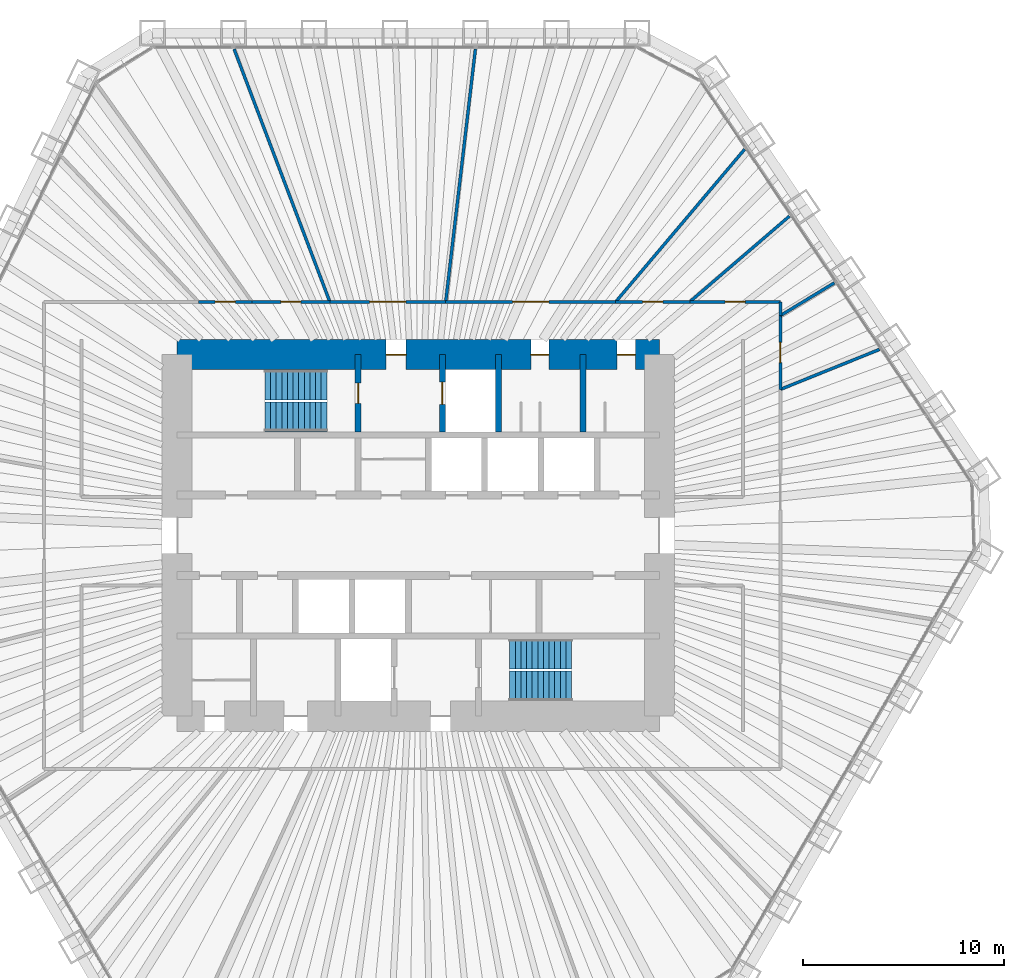
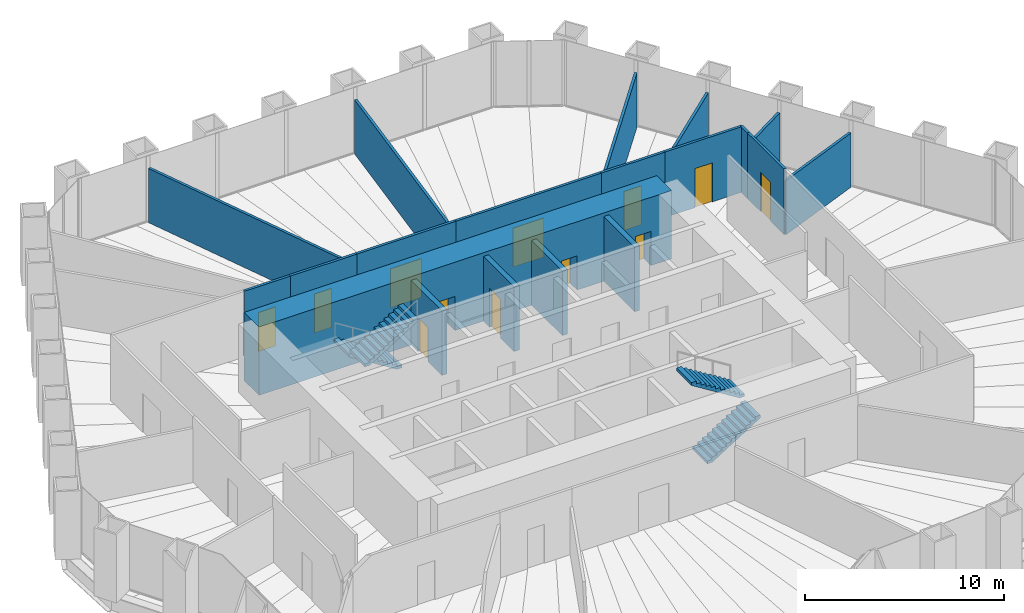
# One storey, part 12 of 13: 19 walls, 12 doors, 4 stair flights, 12 openings, 2 elements without a shape of their own.
"""IFC4 building model written with IfcOpenShell, lengths in metres."""

from ifc_helpers import new_model, si_unit, direction, frame, frame_2d, origin, place, context, subcontext, project, spatial, polyline, rectangle, outline, extrude, material, layer, layer_set, type_object, element, fill, aggregate, save


model = new_model("IFC4")

# Units and contexts
model_context = context("Model", 3, precision=1e-05, world=origin(), true_north=direction((0.0, 1.0)))
body_context = subcontext(model_context, "Body", "Model", "MODEL_VIEW")
ifc_project = project(units=[si_unit("LENGTHUNIT", "METRE"), si_unit("AREAUNIT", "SQUARE_METRE"), si_unit("VOLUMEUNIT", "CUBIC_METRE"), si_unit("PLANEANGLEUNIT", "RADIAN"), si_unit("MASSUNIT", "GRAM", prefix="KILO")], contexts=[model_context])

# Site, building, storey
site_placement = place(None, origin())
site = spatial("IfcSite", under=ifc_project, at=site_placement, CompositionType="ELEMENT")
building_placement = place(site_placement, origin())
building = spatial("IfcBuilding", under=site, at=building_placement, Name="Qingtian Harvest Tower", CompositionType="ELEMENT")
storey_placement = place(building_placement, frame((0.0, 0.0, 157.60009765625)))
storey = spatial("IfcBuildingStorey", under=building, at=storey_placement, Name="L33", CompositionType="ELEMENT", Elevation=157.60009765625)

# Wall, opening, door
ifc_material_1 = material(Name="Precast concrete shaft panel", Category="concrete")
ifc_layer_1 = layer(ifc_material_1, 0.300048828125)
ifc_layer_set_1 = layer_set([ifc_layer_1], Name="Core shaft partition SW1 300")
wall_type_1 = type_object("IfcWallType", Name="Core shaft partition SW1 300", PredefinedType="PARTITIONING", material=ifc_layer_set_1)
wall_1_placement = place(storey_placement, frame((-3.0, 5.14990234375, 0.0), z_axis=(0.0, 0.0, 1.0), x_axis=(0.0, 1.0, 0.0)))
wall_1 = element("IfcWall", 1, at=wall_1_placement, inside=storey, type_object=wall_type_1, Name="Core shaft partition XN1 L33", PredefinedType="PARTITIONING", context=body_context, shape_type="SweptSolid", body=[
    extrude(rectangle(XDim=3.85009765625, YDim=0.300048828125, at=frame_2d((1.925048828125, 0.0))), origin(), (0.0, 0.0, 1.0), 3.97998046875),
])
opening_1_placement = place(wall_1_placement, frame((1.425048828125, 0.0, 0.0)))
opening_1 = element("IfcOpeningElement", 2, at=opening_1_placement, cuts=wall_1, Name="Opening FD1", PredefinedType="OPENING", context=body_context, shape_type="SweptSolid", body=[
    extrude(rectangle(XDim=1.0, YDim=2.10009765625, at=frame_2d((0.5, 1.050048828125))), frame((0.0, 0.159912109375, 0.0), z_axis=(0.0, -1.0, 0.0), x_axis=(1.0, 0.0, 0.0)), (0.0, 0.0, 1.0), 0.320068359375),
])
ifc_material_2 = material(Name="Steel-faced door leaf", Category="steel")
door_type_1 = type_object("IfcDoorType", Name="Fire door FD1 single 1 HR", OperationType="SINGLE_SWING_LEFT", PredefinedType="DOOR", material=ifc_material_2)
door_1_placement = place(opening_1_placement, origin())
door_1 = element("IfcDoor", 3, at=door_1_placement, inside=storey, type_object=door_type_1, Name="S1 door L33", OperationType="SINGLE_SWING_RIGHT", OverallHeight=2.10009765625, OverallWidth=1.0, PredefinedType="DOOR", context=body_context, shape_type="SweptSolid", body=[
    extrude(rectangle(XDim=1.0, YDim=2.10009765625, at=frame_2d((0.5, 1.050048828125))), frame((0.0, 0.02490234375, 0.0), z_axis=(0.0, -1.0, 0.0), x_axis=(1.0, 0.0, 0.0)), (0.0, 0.0, 1.0), 0.050048828125),
])
fill(opening_1, door_1)

wall_2_placement = place(storey_placement, frame((1.199951171875, 5.14990234375, 0.0), z_axis=(0.0, 0.0, 1.0), x_axis=(0.0, 1.0, 0.0)))
wall_2 = element("IfcWall", 4, at=wall_2_placement, inside=storey, type_object=wall_type_1, Name="Core shaft partition XN2 L33", PredefinedType="PARTITIONING", context=body_context, shape_type="SweptSolid", body=[
    extrude(rectangle(XDim=3.85009765625, YDim=0.300048828125, at=frame_2d((1.925048828125, 0.0))), origin(), (0.0, 0.0, 1.0), 3.97998046875),
])
opening_2_placement = place(wall_2_placement, frame((1.375, 0.0, 0.0)))
opening_2 = element("IfcOpeningElement", 5, at=opening_2_placement, cuts=wall_2, Name="Opening LD1", PredefinedType="OPENING", context=body_context, shape_type="SweptSolid", body=[
    extrude(rectangle(XDim=1.10009765625, YDim=2.39990234375, at=frame_2d((0.550048828125, 1.199951171875))), frame((0.0, 0.159912109375, 0.0), z_axis=(0.0, -1.0, 0.0), x_axis=(1.0, 0.0, 0.0)), (0.0, 0.0, 1.0), 0.320068359375),
])
ifc_material_3 = material(Name="Stainless steel lift landing door", Category="steel")
door_type_2 = type_object("IfcDoorType", Name="Lift landing door LD1 1 HR", OperationType="DOUBLE_DOOR_SLIDING", PredefinedType="DOOR", material=ifc_material_3)
door_2_placement = place(opening_2_placement, origin())
door_2 = element("IfcDoor", 6, at=door_2_placement, inside=storey, type_object=door_type_2, Name="FL1 landing door L33", OperationType="DOUBLE_DOOR_SLIDING", OverallHeight=2.39990234375, OverallWidth=1.10009765625, PredefinedType="DOOR", context=body_context, shape_type="SweptSolid", body=[
    extrude(rectangle(XDim=1.10009765625, YDim=2.39990234375, at=frame_2d((0.550048828125, 1.199951171875))), frame((0.0, 0.02490234375, 0.0), z_axis=(0.0, -1.0, 0.0), x_axis=(1.0, 0.0, 0.0)), (0.0, 0.0, 1.0), 0.050048828125),
])
fill(opening_2, door_2)

# Walls
for number, where, z_axis, x_axis, name in (
    (7, (4.0, 5.14990234375, 0.0), (0.0, 0.0, 1.0), (0.0, 1.0, 0.0), "Core shaft partition XN3 L33"),
    (8, (8.199951171875, 5.14990234375, 0.0), (0.0, 0.0, 1.0), (0.0, 1.0, 0.0), "Core shaft partition XN4 L33"),
):
    element("IfcWall", number, at=place(storey_placement, frame(where, z_axis=z_axis, x_axis=x_axis)), inside=storey, type_object=wall_type_1, Name=name, PredefinedType="PARTITIONING", context=body_context, shape_type="SweptSolid", body=[
        extrude(rectangle(XDim=3.85009765625, YDim=0.300048828125, at=frame_2d((1.925048828125, 0.0))), origin(), (0.0, 0.0, 1.0), 3.97998046875),
    ])

# Wall, openings, doors
ifc_material_4 = material(Name="Concrete fc' 70 MPa", Category="concrete")
ifc_layer_2 = layer(ifc_material_4, 1.5)
ifc_layer_set_2 = layer_set([ifc_layer_2], Name="Core wall RC1 1500")
wall_type_2 = type_object("IfcWallType", Name="Core wall RC1 1500", PredefinedType="SHEAR", material=ifc_layer_set_2)
wall_3_placement = place(storey_placement, frame((-12.0, 9.0, 0.0), z_axis=(0.0, 0.0, 1.0), x_axis=(1.0, 0.0, 0.0)))
wall_3 = element("IfcWall", 9, at=wall_3_placement, inside=storey, type_object=wall_type_2, Name="Core wall CN L33", PredefinedType="SHEAR", context=body_context, shape_type="SweptSolid", body=[
    extrude(rectangle(XDim=24.0, YDim=1.5, at=frame_2d((12.0, 0.0))), origin(), (0.0, 0.0, 1.0), 4.199951171875),
])
opening_3_placement = place(wall_3_placement, frame((10.39990234375, 0.0, 0.0)))
opening_3 = element("IfcOpeningElement", 10, at=opening_3_placement, cuts=wall_3, Name="Opening FD1", PredefinedType="OPENING", context=body_context, shape_type="SweptSolid", body=[
    extrude(rectangle(XDim=1.0, YDim=2.10009765625, at=frame_2d((0.5, 1.050048828125))), frame((0.0, 0.760009765625, 0.0), z_axis=(0.0, -1.0, 0.0), x_axis=(1.0, 0.0, 0.0)), (0.0, 0.0, 1.0), 1.52001953125),
])
opening_4_placement = place(wall_3_placement, frame((17.60009765625, 0.0, 0.0)))
opening_4 = element("IfcOpeningElement", 11, at=opening_4_placement, cuts=wall_3, Name="Opening D1", PredefinedType="OPENING", context=body_context, shape_type="SweptSolid", body=[
    extrude(rectangle(XDim=0.89990234375, YDim=2.10009765625, at=frame_2d((0.449951171875, 1.050048828125))), frame((0.0, 0.760009765625, 0.0), z_axis=(0.0, -1.0, 0.0), x_axis=(1.0, 0.0, 0.0)), (0.0, 0.0, 1.0), 1.52001953125),
])
opening_5_placement = place(wall_3_placement, frame((21.89990234375, 0.0, 0.0)))
opening_5 = element("IfcOpeningElement", 12, at=opening_5_placement, cuts=wall_3, Name="Opening D1", PredefinedType="OPENING", context=body_context, shape_type="SweptSolid", body=[
    extrude(rectangle(XDim=0.89990234375, YDim=2.10009765625, at=frame_2d((0.449951171875, 1.050048828125))), frame((0.0, 0.760009765625, 0.0), z_axis=(0.0, -1.0, 0.0), x_axis=(1.0, 0.0, 0.0)), (0.0, 0.0, 1.0), 1.52001953125),
])
door_3_placement = place(opening_3_placement, origin())
door_3 = element("IfcDoor", 13, at=door_3_placement, inside=storey, type_object=door_type_1, Name="V1 door L33", OperationType="SINGLE_SWING_RIGHT", OverallHeight=2.10009765625, OverallWidth=1.0, PredefinedType="DOOR", context=body_context, shape_type="SweptSolid", body=[
    extrude(rectangle(XDim=1.0, YDim=2.10009765625, at=frame_2d((0.5, 1.050048828125))), frame((0.0, 0.02490234375, 0.0), z_axis=(0.0, -1.0, 0.0), x_axis=(1.0, 0.0, 0.0)), (0.0, 0.0, 1.0), 0.050048828125),
])
fill(opening_3, door_3)
ifc_material_5 = material(Name="Laminated timber door leaf", Category="wood")
door_type_3 = type_object("IfcDoorType", Name="Toilet door D1 single", OperationType="SINGLE_SWING_LEFT", PredefinedType="DOOR", material=ifc_material_5)
door_4_placement = place(opening_4_placement, origin())
door_4 = element("IfcDoor", 14, at=door_4_placement, inside=storey, type_object=door_type_3, Name="WCM door L33", OperationType="SINGLE_SWING_RIGHT", OverallHeight=2.10009765625, OverallWidth=0.89990234375, PredefinedType="DOOR", context=body_context, shape_type="SweptSolid", body=[
    extrude(rectangle(XDim=0.89990234375, YDim=2.10009765625, at=frame_2d((0.449951171875, 1.050048828125))), frame((0.0, 0.02490234375, 0.0), z_axis=(0.0, -1.0, 0.0), x_axis=(1.0, 0.0, 0.0)), (0.0, 0.0, 1.0), 0.050048828125),
])
fill(opening_4, door_4)
door_5_placement = place(opening_5_placement, origin())
door_5 = element("IfcDoor", 15, at=door_5_placement, inside=storey, type_object=door_type_3, Name="WCF door L33", OperationType="SINGLE_SWING_RIGHT", OverallHeight=2.10009765625, OverallWidth=0.89990234375, PredefinedType="DOOR", context=body_context, shape_type="SweptSolid", body=[
    extrude(rectangle(XDim=0.89990234375, YDim=2.10009765625, at=frame_2d((0.449951171875, 1.050048828125))), frame((0.0, 0.02490234375, 0.0), z_axis=(0.0, -1.0, 0.0), x_axis=(1.0, 0.0, 0.0)), (0.0, 0.0, 1.0), 0.050048828125),
])
fill(opening_5, door_5)

# Wall
ifc_material_6 = material(Name="Gypsum board on steel studs", Category="steel")
ifc_layer_3 = layer(ifc_material_6, 0.14990234375)
ifc_layer_set_3 = layer_set([ifc_layer_3], Name="Partition PT1 150")
wall_type_3 = type_object("IfcWallType", Name="Partition PT1 150", PredefinedType="PARTITIONING", material=ifc_layer_set_3)
wall_4_placement = place(storey_placement, frame((16.2373046875, 19.21044921875, 0.0), z_axis=(0.0, 0.0, 1.0), x_axis=(-0.645526723652, -0.763737683404, 0.0)))
element("IfcWall", 16, at=wall_4_placement, inside=storey, type_object=wall_type_3, Name="Private office wall L33", PredefinedType="PARTITIONING", context=body_context, shape_type="SweptSolid", body=[
    extrude(rectangle(XDim=9.93212890625, YDim=0.14990234375, at=frame_2d((4.966064453125, 0.0))), origin(), (0.0, 0.0, 1.0), 3.329833984375),
])

# Wall, opening, door
wall_5_placement = place(storey_placement, frame((9.825927734375, 11.625, 0.0), z_axis=(0.0, 0.0, 1.0), x_axis=(1.0, 0.0, 0.0)))
wall_5 = element("IfcWall", 17, at=wall_5_placement, inside=storey, type_object=wall_type_3, Name="Private office wall L33", PredefinedType="PARTITIONING", context=body_context, shape_type="SweptSolid", body=[
    extrude(rectangle(XDim=3.689453125, YDim=0.14990234375, at=frame_2d((1.8447265625, 0.0))), origin(), (0.0, 0.0, 1.0), 4.02978515625),
])
opening_6_placement = place(wall_5_placement, frame((1.3447265625, 0.0, 0.0)))
opening_6 = element("IfcOpeningElement", 18, at=opening_6_placement, cuts=wall_5, Name="Opening D2", PredefinedType="OPENING", context=body_context, shape_type="SweptSolid", body=[
    extrude(rectangle(XDim=1.0, YDim=2.39990234375, at=frame_2d((0.5, 1.199951171875))), frame((0.0, 0.0849609375, 0.0), z_axis=(0.0, -1.0, 0.0), x_axis=(1.0, 0.0, 0.0)), (0.0, 0.0, 1.0), 0.169921875),
])
ifc_material_7 = material(Name="Laminated timber door leaf", Category="wood")
door_type_4 = type_object("IfcDoorType", Name="Room door D2 single", OperationType="SINGLE_SWING_LEFT", PredefinedType="DOOR", material=ifc_material_7)
door_6_placement = place(opening_6_placement, origin())
door_6 = element("IfcDoor", 19, at=door_6_placement, inside=storey, type_object=door_type_4, Name="Private office door L33", OperationType="SINGLE_SWING_RIGHT", OverallHeight=2.39990234375, OverallWidth=1.0, PredefinedType="DOOR", context=body_context, shape_type="SweptSolid", body=[
    extrude(rectangle(XDim=1.0, YDim=2.39990234375, at=frame_2d((0.5, 1.199951171875))), frame((0.0, 0.02490234375, 0.0), z_axis=(0.0, -1.0, 0.0), x_axis=(1.0, 0.0, 0.0)), (0.0, 0.0, 1.0), 0.050048828125),
])
fill(opening_6, door_6)

# Wall
wall_6_placement = place(storey_placement, frame((18.4736328125, 15.8896484375, 0.0), z_axis=(0.0, 0.0, 1.0), x_axis=(-0.758143486665, -0.65208776528, 0.0)))
element("IfcWall", 20, at=wall_6_placement, inside=storey, type_object=wall_type_3, Name="Private office wall L33", PredefinedType="PARTITIONING", context=body_context, shape_type="SweptSolid", body=[
    extrude(rectangle(XDim=6.5400390625, YDim=0.14990234375, at=frame_2d((3.27001953125, 0.0))), origin(), (0.0, 0.0, 1.0), 3.329833984375),
])

# Wall, opening, door
wall_7_placement = place(storey_placement, frame((13.515380859375, 11.625, 0.0), z_axis=(0.0, 0.0, 1.0), x_axis=(1.0, 0.0, 0.0)))
wall_7 = element("IfcWall", 21, at=wall_7_placement, inside=storey, type_object=wall_type_3, Name="Private office wall L33", PredefinedType="PARTITIONING", context=body_context, shape_type="SweptSolid", body=[
    extrude(rectangle(XDim=4.509521484375, YDim=0.14990234375, at=frame_2d((2.2548828125, 0.0))), origin(), (0.0, 0.0, 1.0), 4.02978515625),
])
opening_7_placement = place(wall_7_placement, frame((1.7548828125, 0.0, 0.0)))
opening_7 = element("IfcOpeningElement", 22, at=opening_7_placement, cuts=wall_7, Name="Opening D2", PredefinedType="OPENING", context=body_context, shape_type="SweptSolid", body=[
    extrude(rectangle(XDim=1.0, YDim=2.39990234375, at=frame_2d((0.5, 1.199951171875))), frame((0.0, 0.0849609375, 0.0), z_axis=(0.0, -1.0, 0.0), x_axis=(1.0, 0.0, 0.0)), (0.0, 0.0, 1.0), 0.169921875),
])
door_7_placement = place(opening_7_placement, origin())
door_7 = element("IfcDoor", 23, at=door_7_placement, inside=storey, type_object=door_type_4, Name="Private office door L33", OperationType="SINGLE_SWING_LEFT", OverallHeight=2.39990234375, OverallWidth=1.0, PredefinedType="DOOR", context=body_context, shape_type="SweptSolid", body=[
    extrude(rectangle(XDim=1.0, YDim=2.39990234375, at=frame_2d((0.5, 1.199951171875))), frame((0.0, 0.02490234375, 0.0), z_axis=(0.0, -1.0, 0.0), x_axis=(1.0, 0.0, 0.0)), (0.0, 0.0, 1.0), 0.050048828125),
])
fill(opening_7, door_7)

# Walls
wall_8_placement = place(storey_placement, frame((18.02490234375, 11.625, 0.0), z_axis=(0.0, 0.0, 1.0), x_axis=(0.0, -1.0, 0.0)))
element("IfcWall", 24, at=wall_8_placement, inside=storey, type_object=wall_type_3, Name="Private office wall L33", PredefinedType="PARTITIONING", context=body_context, shape_type="SweptSolid", body=[
    extrude(rectangle(XDim=0.684326171875, YDim=0.14990234375, at=frame_2d((0.34228515625, 0.0))), origin(), (0.0, 0.0, 1.0), 4.02978515625),
])
wall_9_placement = place(storey_placement, frame((20.71142578125, 12.571044921875, 0.0), z_axis=(0.0, 0.0, 1.0), x_axis=(-0.854890890653, -0.518807830587, 0.0)))
element("IfcWall", 25, at=wall_9_placement, inside=storey, type_object=wall_type_3, Name="Private office wall L33", PredefinedType="PARTITIONING", context=body_context, shape_type="SweptSolid", body=[
    extrude(rectangle(XDim=3.142578125, YDim=0.14990234375, at=frame_2d((1.5712890625, 0.0))), origin(), (0.0, 0.0, 1.0), 3.329833984375),
])

# Wall, opening, door
wall_10_placement = place(storey_placement, frame((18.02490234375, 10.940673828125, 0.0), z_axis=(0.0, 0.0, 1.0), x_axis=(0.0, -1.0, 0.0)))
wall_10 = element("IfcWall", 26, at=wall_10_placement, inside=storey, type_object=wall_type_3, Name="Private office wall L33", PredefinedType="PARTITIONING", context=body_context, shape_type="SweptSolid", body=[
    extrude(rectangle(XDim=3.67333984375, YDim=0.14990234375, at=frame_2d((1.836669921875, 0.0))), origin(), (0.0, 0.0, 1.0), 4.02978515625),
])
opening_8_placement = place(wall_10_placement, frame((1.336669921875, 0.0, 0.0)))
opening_8 = element("IfcOpeningElement", 27, at=opening_8_placement, cuts=wall_10, Name="Opening D2", PredefinedType="OPENING", context=body_context, shape_type="SweptSolid", body=[
    extrude(rectangle(XDim=1.0, YDim=2.39990234375, at=frame_2d((0.5, 1.199951171875))), frame((0.0, 0.0849609375, 0.0), z_axis=(0.0, -1.0, 0.0), x_axis=(1.0, 0.0, 0.0)), (0.0, 0.0, 1.0), 0.169921875),
])
door_8_placement = place(opening_8_placement, origin())
door_8 = element("IfcDoor", 28, at=door_8_placement, inside=storey, type_object=door_type_4, Name="Private office door L33", OperationType="SINGLE_SWING_LEFT", OverallHeight=2.39990234375, OverallWidth=1.0, PredefinedType="DOOR", context=body_context, shape_type="SweptSolid", body=[
    extrude(rectangle(XDim=1.0, YDim=2.39990234375, at=frame_2d((0.5, 1.199951171875))), frame((0.0, 0.02490234375, 0.0), z_axis=(0.0, -1.0, 0.0), x_axis=(1.0, 0.0, 0.0)), (0.0, 0.0, 1.0), 0.050048828125),
])
fill(opening_8, door_8)

# Wall
wall_11_placement = place(storey_placement, frame((22.951416015625, 9.253662109375, 0.0), z_axis=(0.0, 0.0, 1.0), x_axis=(-0.927452527427, -0.37394091695, 0.0)))
element("IfcWall", 29, at=wall_11_placement, inside=storey, type_object=wall_type_3, Name="Meeting room wall L33", PredefinedType="PARTITIONING", context=body_context, shape_type="SweptSolid", body=[
    extrude(rectangle(XDim=5.311767578125, YDim=0.14990234375, at=frame_2d((2.65576171875, 0.0))), origin(), (0.0, 0.0, 1.0), 3.329833984375),
])

# Wall, opening, door
wall_12_placement = place(storey_placement, frame((-10.938720703125, 11.625, 0.0), z_axis=(0.0, 0.0, 1.0), x_axis=(1.0, 0.0, 0.0)))
wall_12 = element("IfcWall", 30, at=wall_12_placement, inside=storey, type_object=wall_type_3, Name="Meeting room wall L33", PredefinedType="PARTITIONING", context=body_context, shape_type="SweptSolid", body=[
    extrude(rectangle(XDim=2.662109375, YDim=0.14990234375, at=frame_2d((1.3310546875, 0.0))), origin(), (0.0, 0.0, 1.0), 4.02978515625),
])
opening_9_placement = place(wall_12_placement, frame((0.8310546875, 0.0, 0.0)))
opening_9 = element("IfcOpeningElement", 31, at=opening_9_placement, cuts=wall_12, Name="Opening D2", PredefinedType="OPENING", context=body_context, shape_type="SweptSolid", body=[
    extrude(rectangle(XDim=1.0, YDim=2.39990234375, at=frame_2d((0.5, 1.199951171875))), frame((0.0, 0.0849609375, 0.0), z_axis=(0.0, -1.0, 0.0), x_axis=(1.0, 0.0, 0.0)), (0.0, 0.0, 1.0), 0.169921875),
])
door_9_placement = place(opening_9_placement, origin())
door_9 = element("IfcDoor", 32, at=door_9_placement, inside=storey, type_object=door_type_4, Name="Meeting room door L33", OperationType="SINGLE_SWING_LEFT", OverallHeight=2.39990234375, OverallWidth=1.0, PredefinedType="DOOR", context=body_context, shape_type="SweptSolid", body=[
    extrude(rectangle(XDim=1.0, YDim=2.39990234375, at=frame_2d((0.5, 1.199951171875))), frame((0.0, 0.02490234375, 0.0), z_axis=(0.0, -1.0, 0.0), x_axis=(1.0, 0.0, 0.0)), (0.0, 0.0, 1.0), 0.050048828125),
])
fill(opening_9, door_9)

wall_13_placement = place(storey_placement, frame((-8.276611328125, 11.625, 0.0), z_axis=(0.0, 0.0, 1.0), x_axis=(1.0, 0.0, 0.0)))
wall_13 = element("IfcWall", 33, at=wall_13_placement, inside=storey, type_object=wall_type_3, Name="Private office wall L33", PredefinedType="PARTITIONING", context=body_context, shape_type="SweptSolid", body=[
    extrude(rectangle(XDim=3.8740234375, YDim=0.14990234375, at=frame_2d((1.93701171875, 0.0))), origin(), (0.0, 0.0, 1.0), 4.02978515625),
])
opening_10_placement = place(wall_13_placement, frame((1.43701171875, 0.0, 0.0)))
opening_10 = element("IfcOpeningElement", 34, at=opening_10_placement, cuts=wall_13, Name="Opening D2", PredefinedType="OPENING", context=body_context, shape_type="SweptSolid", body=[
    extrude(rectangle(XDim=1.0, YDim=2.39990234375, at=frame_2d((0.5, 1.199951171875))), frame((0.0, 0.0849609375, 0.0), z_axis=(0.0, -1.0, 0.0), x_axis=(1.0, 0.0, 0.0)), (0.0, 0.0, 1.0), 0.169921875),
])
door_10_placement = place(opening_10_placement, origin())
door_10 = element("IfcDoor", 35, at=door_10_placement, inside=storey, type_object=door_type_4, Name="Private office door L33", OperationType="SINGLE_SWING_LEFT", OverallHeight=2.39990234375, OverallWidth=1.0, PredefinedType="DOOR", context=body_context, shape_type="SweptSolid", body=[
    extrude(rectangle(XDim=1.0, YDim=2.39990234375, at=frame_2d((0.5, 1.199951171875))), frame((0.0, 0.02490234375, 0.0), z_axis=(0.0, -1.0, 0.0), x_axis=(1.0, 0.0, 0.0)), (0.0, 0.0, 1.0), 0.050048828125),
])
fill(opening_10, door_10)

# Wall
wall_14_placement = place(storey_placement, frame((-9.167236328125, 24.20654296875, 0.0), z_axis=(0.0, 0.0, 1.0), x_axis=(0.354156368181, -0.935186220427, 0.0)))
element("IfcWall", 36, at=wall_14_placement, inside=storey, type_object=wall_type_3, Name="Collaboration lounge wall L33", PredefinedType="PARTITIONING", context=body_context, shape_type="SweptSolid", body=[
    extrude(rectangle(XDim=13.45361328125, YDim=0.14990234375, at=frame_2d((6.726806640625, 0.0))), origin(), (0.0, 0.0, 1.0), 3.329833984375),
])

# Wall, opening, door
wall_15_placement = place(storey_placement, frame((-4.402587890625, 11.625, 0.0), z_axis=(0.0, 0.0, 1.0), x_axis=(1.0, 0.0, 0.0)))
wall_15 = element("IfcWall", 37, at=wall_15_placement, inside=storey, type_object=wall_type_3, Name="Collaboration lounge wall L33", PredefinedType="PARTITIONING", context=body_context, shape_type="SweptSolid", body=[
    extrude(rectangle(XDim=5.768310546875, YDim=0.14990234375, at=frame_2d((2.88427734375, 0.0))), origin(), (0.0, 0.0, 1.0), 4.02978515625),
])
opening_11_placement = place(wall_15_placement, frame((1.984130859375, 0.0, 0.0)))
opening_11 = element("IfcOpeningElement", 38, at=opening_11_placement, cuts=wall_15, Name="Opening D3", PredefinedType="OPENING", context=body_context, shape_type="SweptSolid", body=[
    extrude(rectangle(XDim=1.800048828125, YDim=2.39990234375, at=frame_2d((0.89990234375, 1.199951171875))), frame((0.0, 0.0849609375, 0.0), z_axis=(0.0, -1.0, 0.0), x_axis=(1.0, 0.0, 0.0)), (0.0, 0.0, 1.0), 0.169921875),
])
ifc_material_8 = material(Name="Laminated timber door leaf", Category="wood")
door_type_5 = type_object("IfcDoorType", Name="Room door D3 double", OperationType="DOUBLE_DOOR_DOUBLE_SWING", PredefinedType="DOOR", material=ifc_material_8)
door_11_placement = place(opening_11_placement, origin())
door_11 = element("IfcDoor", 39, at=door_11_placement, inside=storey, type_object=door_type_5, Name="Collaboration lounge door L33", OperationType="DOUBLE_DOOR_DOUBLE_SWING", OverallHeight=2.39990234375, OverallWidth=1.800048828125, PredefinedType="DOOR", context=body_context, shape_type="SweptSolid", body=[
    extrude(rectangle(XDim=1.800048828125, YDim=2.39990234375, at=frame_2d((0.89990234375, 1.199951171875))), frame((0.0, 0.02490234375, 0.0), z_axis=(0.0, -1.0, 0.0), x_axis=(1.0, 0.0, 0.0)), (0.0, 0.0, 1.0), 0.050048828125),
])
fill(opening_11, door_11)

# Wall
wall_16_placement = place(storey_placement, frame((2.843017578125, 24.20068359375, 0.0), z_axis=(0.0, 0.0, 1.0), x_axis=(-0.116670084723, -0.993170726175, 0.0)))
element("IfcWall", 40, at=wall_16_placement, inside=storey, type_object=wall_type_3, Name="Workplace zone wall L33", PredefinedType="PARTITIONING", context=body_context, shape_type="SweptSolid", body=[
    extrude(rectangle(XDim=12.662109375, YDim=0.14990234375, at=frame_2d((6.3310546875, 0.0))), origin(), (0.0, 0.0, 1.0), 3.329833984375),
])

# Wall, opening, door
wall_17_placement = place(storey_placement, frame((1.36572265625, 11.625, 0.0), z_axis=(0.0, 0.0, 1.0), x_axis=(1.0, 0.0, 0.0)))
wall_17 = element("IfcWall", 41, at=wall_17_placement, inside=storey, type_object=wall_type_3, Name="Workplace zone wall L33", PredefinedType="PARTITIONING", context=body_context, shape_type="SweptSolid", body=[
    extrude(rectangle(XDim=8.460205078125, YDim=0.14990234375, at=frame_2d((4.22998046875, 0.0))), origin(), (0.0, 0.0, 1.0), 4.02978515625),
])
opening_12_placement = place(wall_17_placement, frame((3.330078125, 0.0, 0.0)))
opening_12 = element("IfcOpeningElement", 42, at=opening_12_placement, cuts=wall_17, Name="Opening D3", PredefinedType="OPENING", context=body_context, shape_type="SweptSolid", body=[
    extrude(rectangle(XDim=1.800048828125, YDim=2.39990234375, at=frame_2d((0.89990234375, 1.199951171875))), frame((0.0, 0.0849609375, 0.0), z_axis=(0.0, -1.0, 0.0), x_axis=(1.0, 0.0, 0.0)), (0.0, 0.0, 1.0), 0.169921875),
])
door_12_placement = place(opening_12_placement, origin())
door_12 = element("IfcDoor", 43, at=door_12_placement, inside=storey, type_object=door_type_5, Name="Workplace zone door L33", OperationType="DOUBLE_DOOR_DOUBLE_SWING", OverallHeight=2.39990234375, OverallWidth=1.800048828125, PredefinedType="DOOR", context=body_context, shape_type="SweptSolid", body=[
    extrude(rectangle(XDim=1.800048828125, YDim=2.39990234375, at=frame_2d((0.89990234375, 1.199951171875))), frame((0.0, 0.02490234375, 0.0), z_axis=(0.0, -1.0, 0.0), x_axis=(1.0, 0.0, 0.0)), (0.0, 0.0, 1.0), 0.050048828125),
])
fill(opening_12, door_12)

# Stair, stair flights
ifc_material_9 = material(Name="Concrete fc' 35 MPa", Category="concrete")
stair_type = type_object("IfcStairType", Name="Special stair ST3 4200", PredefinedType="HALF_TURN_STAIR", material=ifc_material_9)
stair_1_placement = place(storey_placement, origin())
stair_1 = element("IfcStair", 44, at=stair_1_placement, inside=storey, type_object=stair_type, Name="Special stair S1 L33", PredefinedType="HALF_TURN_STAIR")
ifc_material_10 = material(Name="Concrete fc' 35 MPa", Category="concrete")
stair_flight_type = type_object("IfcStairFlightType", Name="Stair flight SF3 4200", PredefinedType="STRAIGHT", material=ifc_material_10)
stair_flight_1_placement = place(storey_placement, frame((-4.550048828125, 7.5, 0.0), z_axis=(0.0, 0.0, 1.0), x_axis=(-1.0, 0.0, 0.0)))
stair_flight_1 = element("IfcStairFlight", 45, at=stair_flight_1_placement, type_object=stair_flight_type, Name="S1 flight 1", NumberOfRisers=12, NumberOfTreads=11, PredefinedType="STRAIGHT", RiserHeight=0.175, TreadLength=0.28, context=body_context, shape_type="SweptSolid", body=[
    extrude(outline(polyline([(0.0, 0.0), (0.0, 0.175048828125), (0.280029296875, 0.175048828125), (0.280029296875, 0.35009765625), (0.56005859375, 0.35009765625), (0.56005859375, 0.52490234375), (0.840087890625, 0.52490234375), (0.840087890625, 0.699951171875), (1.1201171875, 0.699951171875), (1.1201171875, 0.875), (1.39990234375, 0.875), (1.39990234375, 1.050048828125), (1.679931640625, 1.050048828125), (1.679931640625, 1.22509765625), (1.9599609375, 1.22509765625), (1.9599609375, 1.39990234375), (2.239990234375, 1.39990234375), (2.239990234375, 1.574951171875), (2.52001953125, 1.574951171875), (2.52001953125, 1.75), (2.800048828125, 1.75), (2.800048828125, 1.925048828125), (3.080078125, 1.925048828125), (3.080078125, 2.10009765625), (3.080078125, 1.748291015625), (0.28271484375, 0.0), (0.0, 0.0)])), frame((0.0, 0.75, 0.0), z_axis=(0.0, -1.0, 0.0), x_axis=(1.0, 0.0, 0.0)), (0.0, 0.0, 1.0), 1.5),
])
stair_flight_2_placement = place(storey_placement, frame((-7.6298828125, 5.89990234375, 2.099853515625), z_axis=(0.0, 0.0, 1.0), x_axis=(1.0, 0.0, 0.0)))
stair_flight_2 = element("IfcStairFlight", 46, at=stair_flight_2_placement, type_object=stair_flight_type, Name="S1 flight 2", NumberOfRisers=12, NumberOfTreads=11, PredefinedType="STRAIGHT", RiserHeight=0.175, TreadLength=0.28, context=body_context, shape_type="SweptSolid", body=[
    extrude(outline(polyline([(0.0, 0.0), (0.0, 0.175048828125), (0.280029296875, 0.175048828125), (0.280029296875, 0.35009765625), (0.56005859375, 0.35009765625), (0.56005859375, 0.52490234375), (0.840087890625, 0.52490234375), (0.840087890625, 0.699951171875), (1.1201171875, 0.699951171875), (1.1201171875, 0.875), (1.39990234375, 0.875), (1.39990234375, 1.050048828125), (1.679931640625, 1.050048828125), (1.679931640625, 1.22509765625), (1.9599609375, 1.22509765625), (1.9599609375, 1.39990234375), (2.239990234375, 1.39990234375), (2.239990234375, 1.574951171875), (2.52001953125, 1.574951171875), (2.52001953125, 1.75), (2.800048828125, 1.75), (2.800048828125, 1.925048828125), (3.080078125, 1.925048828125), (3.080078125, 2.10009765625), (3.080078125, 1.748291015625), (0.28271484375, 0.0), (0.0, 0.0)])), frame((0.0, 0.75, 0.0), z_axis=(0.0, -1.0, 0.0), x_axis=(1.0, 0.0, 0.0)), (0.0, 0.0, 1.0), 1.5),
])
aggregate(stair_1, [stair_flight_1, stair_flight_2])

stair_2_placement = place(storey_placement, origin())
stair_2 = element("IfcStair", 47, at=stair_2_placement, inside=storey, type_object=stair_type, Name="Special stair S2 L33", PredefinedType="HALF_TURN_STAIR")
stair_flight_3_placement = place(storey_placement, frame((4.550048828125, -7.5, 0.0), z_axis=(0.0, 0.0, 1.0), x_axis=(1.0, 0.0, 0.0)))
stair_flight_3 = element("IfcStairFlight", 48, at=stair_flight_3_placement, type_object=stair_flight_type, Name="S2 flight 1", NumberOfRisers=12, NumberOfTreads=11, PredefinedType="STRAIGHT", RiserHeight=0.175, TreadLength=0.28, context=body_context, shape_type="SweptSolid", body=[
    extrude(outline(polyline([(0.0, 0.0), (0.0, 0.175048828125), (0.280029296875, 0.175048828125), (0.280029296875, 0.35009765625), (0.56005859375, 0.35009765625), (0.56005859375, 0.52490234375), (0.840087890625, 0.52490234375), (0.840087890625, 0.699951171875), (1.1201171875, 0.699951171875), (1.1201171875, 0.875), (1.39990234375, 0.875), (1.39990234375, 1.050048828125), (1.679931640625, 1.050048828125), (1.679931640625, 1.22509765625), (1.9599609375, 1.22509765625), (1.9599609375, 1.39990234375), (2.239990234375, 1.39990234375), (2.239990234375, 1.574951171875), (2.52001953125, 1.574951171875), (2.52001953125, 1.75), (2.800048828125, 1.75), (2.800048828125, 1.925048828125), (3.080078125, 1.925048828125), (3.080078125, 2.10009765625), (3.080078125, 1.748291015625), (0.28271484375, 0.0), (0.0, 0.0)])), frame((0.0, 0.75, 0.0), z_axis=(0.0, -1.0, 0.0), x_axis=(1.0, 0.0, 0.0)), (0.0, 0.0, 1.0), 1.5),
])
stair_flight_4_placement = place(storey_placement, frame((7.6298828125, -5.89990234375, 2.099853515625), z_axis=(0.0, 0.0, 1.0), x_axis=(-1.0, 0.0, 0.0)))
stair_flight_4 = element("IfcStairFlight", 49, at=stair_flight_4_placement, type_object=stair_flight_type, Name="S2 flight 2", NumberOfRisers=12, NumberOfTreads=11, PredefinedType="STRAIGHT", RiserHeight=0.175, TreadLength=0.28, context=body_context, shape_type="SweptSolid", body=[
    extrude(outline(polyline([(0.0, 0.0), (0.0, 0.175048828125), (0.280029296875, 0.175048828125), (0.280029296875, 0.35009765625), (0.56005859375, 0.35009765625), (0.56005859375, 0.52490234375), (0.840087890625, 0.52490234375), (0.840087890625, 0.699951171875), (1.1201171875, 0.699951171875), (1.1201171875, 0.875), (1.39990234375, 0.875), (1.39990234375, 1.050048828125), (1.679931640625, 1.050048828125), (1.679931640625, 1.22509765625), (1.9599609375, 1.22509765625), (1.9599609375, 1.39990234375), (2.239990234375, 1.39990234375), (2.239990234375, 1.574951171875), (2.52001953125, 1.574951171875), (2.52001953125, 1.75), (2.800048828125, 1.75), (2.800048828125, 1.925048828125), (3.080078125, 1.925048828125), (3.080078125, 2.10009765625), (3.080078125, 1.748291015625), (0.28271484375, 0.0), (0.0, 0.0)])), frame((0.0, 0.75, 0.0), z_axis=(0.0, -1.0, 0.0), x_axis=(1.0, 0.0, 0.0)), (0.0, 0.0, 1.0), 1.5),
])
aggregate(stair_2, [stair_flight_3, stair_flight_4])

save(model, "model.ifc")
